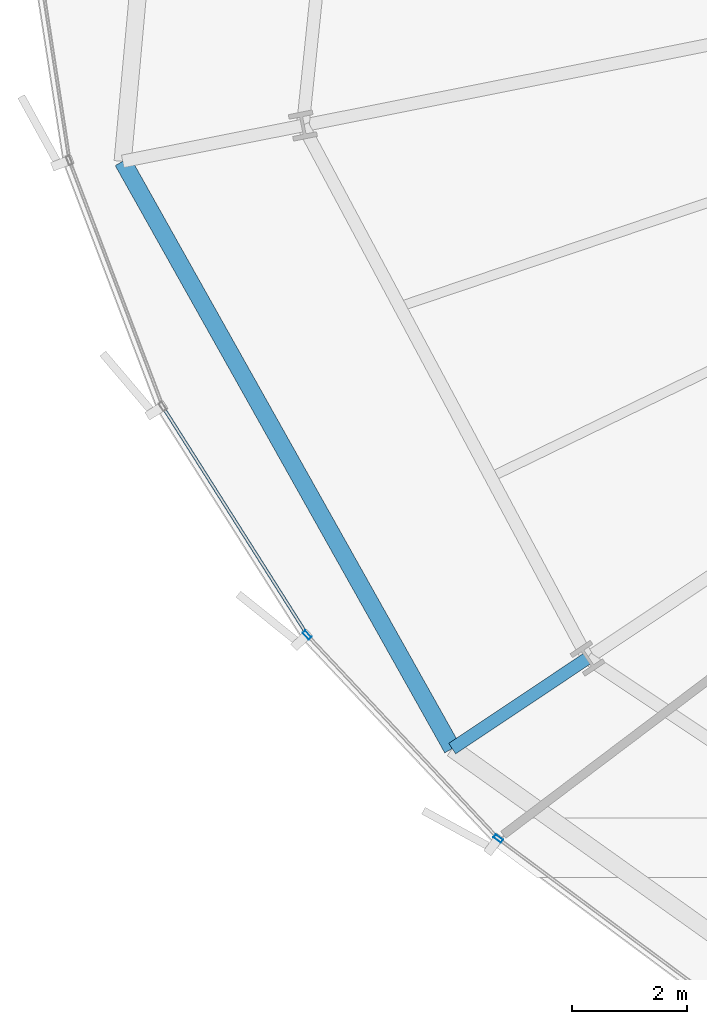
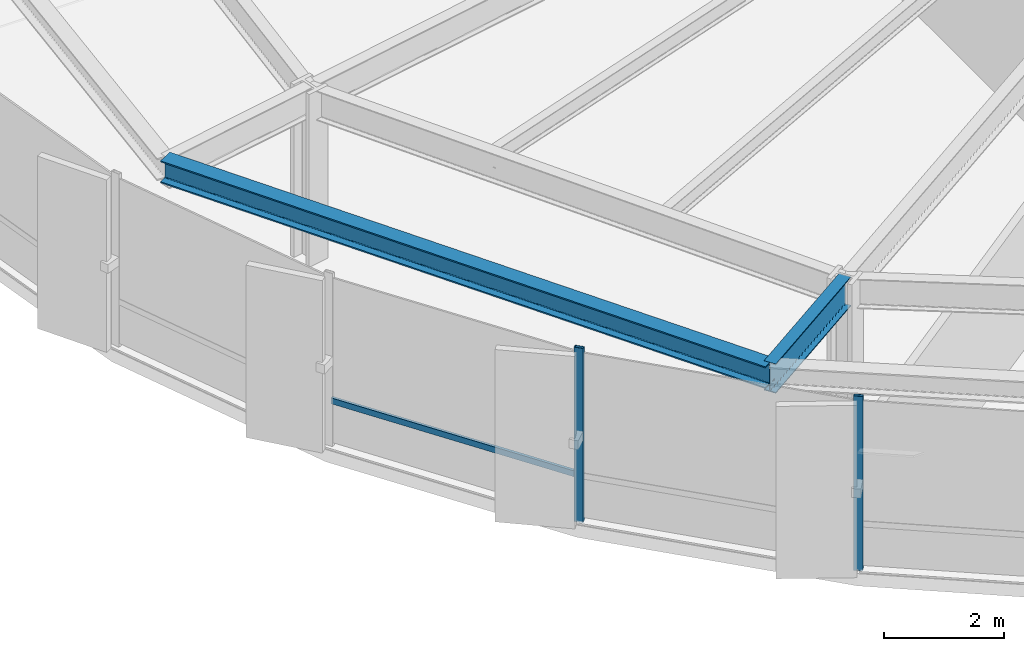
# One storey, part 3 of 39: 3 members, 2 beams, 1 element without a shape of its own.
"""IFC4 building model written with IfcOpenShell, lengths in metres."""

from ifc_helpers import new_model, si_unit, direction, frame, origin, origin_2d, place, context, subcontext, project, spatial, hollow_rectangle, i_section, extrude, source, transform, mapped, material, layer, layer_set, material_profile, profile_set, type_object, element, aggregate, save


model = new_model("IFC4")

# Units and contexts
model_context = context("Model", 3, precision=1e-05, world=origin(), true_north=direction((0.0, 1.0)))
body_context = subcontext(model_context, "Body", "Model", "MODEL_VIEW")
ifc_project = project(units=[si_unit("LENGTHUNIT", "METRE"), si_unit("AREAUNIT", "SQUARE_METRE"), si_unit("VOLUMEUNIT", "CUBIC_METRE"), si_unit("PLANEANGLEUNIT", "RADIAN"), si_unit("MASSUNIT", "GRAM", prefix="KILO"), si_unit("THERMODYNAMICTEMPERATUREUNIT", "KELVIN")], contexts=[model_context])

# Site, building, storey
site_placement = place(None, origin())
site = spatial("IfcSite", under=ifc_project, at=site_placement, CompositionType="ELEMENT")
building_placement = place(site_placement, origin())
building = spatial("IfcBuilding", under=site, at=building_placement, Name="Kethvar Cultural Tower", CompositionType="ELEMENT")
storey_placement = place(building_placement, frame((0.0, 0.0, 41.0)))
storey = spatial("IfcBuildingStorey", under=building, at=storey_placement, Name="L09", CompositionType="ELEMENT", Elevation=41.0)

# Beams
ifc_material_1 = material(Name="Steel S355J2", Category="steel")
ifc_material_profile_1 = material_profile(ifc_material_1, i_section(OverallWidth=0.219970703125, OverallDepth=0.60009765625, WebThickness=0.011962890625, FlangeThickness=0.01904296875, FilletRadius=0.02392578125, at=origin_2d()), Name="Steel S355J2 — IPE600")
ifc_profile_set_1 = profile_set([ifc_material_profile_1], Name="Steel S355J2 — IPE600")
beam_type_1 = type_object("IfcBeamType", Name="BM-IPE600", PredefinedType="BEAM", material=ifc_profile_set_1)
shared_shape_1 = source(origin(), body_context, "Body", "SweptSolid", [
    extrude(i_section(OverallWidth=0.219970703125, OverallDepth=0.60009765625, WebThickness=0.011962890625, FlangeThickness=0.01904296875, FilletRadius=0.02392578125, at=origin_2d()), origin(), (0.0, 0.0, 1.0), 2.834228515625),
])
beam_1_placement = place(storey_placement, frame((24.9248046875, 13.183349609375, 3.248046875), z_axis=(-0.831506552433, -0.555514944229, 0.0), x_axis=(0.555514944229, -0.831506552433, 0.0)))
element("IfcBeam", 1, at=beam_1_placement, inside=storey, type_object=beam_type_1, Name="L09 Perimeter Cantilever Beam RC-10", PredefinedType="BEAM", context=body_context, shape_type="MappedRepresentation", body=[
    mapped(shared_shape_1, transform((0.0, 0.0, 0.0), scale=1.0)),
])
ifc_material_profile_2 = material_profile(ifc_material_1, i_section(OverallWidth=0.300048828125, OverallDepth=0.449951171875, WebThickness=0.013916015625, FlangeThickness=0.02587890625, FilletRadius=0.027099609375, at=origin_2d()), Name="Steel S355J2 — HEB450")
ifc_profile_set_2 = profile_set([ifc_material_profile_2], Name="Steel S355J2 — HEB450")
beam_type_2 = type_object("IfcBeamType", Name="BM-SP450", PredefinedType="SPANDREL", material=ifc_profile_set_2)
shared_shape_2 = source(origin(), body_context, "Body", "SweptSolid", [
    extrude(i_section(OverallWidth=0.300048828125, OverallDepth=0.449951171875, WebThickness=0.013916015625, FlangeThickness=0.02587890625, FilletRadius=0.027099609375, at=origin_2d()), origin(), (0.0, 0.0, 1.0), 11.72998046875),
])
beam_2_placement = place(storey_placement, frame((16.827392578125, 21.838134765625, 3.322998046875), z_axis=(0.489404260078, -0.87205703381, 0.0), x_axis=(0.87205703381, 0.489404260078, 0.0)))
element("IfcBeam", 2, at=beam_2_placement, inside=storey, type_object=beam_type_2, Name="L09 Perimeter Spandrel Beam SP-09", PredefinedType="SPANDREL", context=body_context, shape_type="MappedRepresentation", body=[
    mapped(shared_shape_2, transform((0.0, 0.0, 0.0), scale=1.0)),
])

# Curtain wall, members
ifc_material_2 = material(Name="Aluminium 6063-T6", Category="aluminium")
ifc_layer = layer(ifc_material_2, 0.179931640625, Name="Aluminium 6063-T6", Category="aluminium")
ifc_layer_set = layer_set([ifc_layer], Name="Aluminium 6063-T6 (180 mm)")
curtain_wall_type = type_object("IfcCurtainWallType", Name="CW-SYS-02-Z1", PredefinedType="NOTDEFINED", material=ifc_layer_set)
curtain_wall_placement = place(storey_placement, origin())
curtain_wall = element("IfcCurtainWall", 3, at=curtain_wall_placement, inside=storey, type_object=curtain_wall_type, Name="L09 Curtain Wall Run 04", PredefinedType="NOTDEFINED")
ifc_material_profile_3 = material_profile(ifc_material_2, hollow_rectangle(XDim=0.06494140625, YDim=0.159912109375, WallThickness=0.0048828125, at=origin_2d()), Name="Aluminium 6063-T6 — RHS160x65x5")
ifc_profile_set_3 = profile_set([ifc_material_profile_3], Name="Aluminium 6063-T6 — RHS160x65x5")
member_type_1 = type_object("IfcMemberType", Name="CW-SYS-02-Z1-MUL", PredefinedType="MULLION", material=ifc_profile_set_3)
shared_shape_3 = source(origin(), body_context, "Body", "SweptSolid", [
    extrude(hollow_rectangle(XDim=0.06494140625, YDim=0.159912109375, WallThickness=0.0048828125, at=origin_2d()), origin(), (0.0, 0.0, 1.0), 3.550048828125),
])
member_1_placement = place(storey_placement, frame((20.0390625, 13.589599609375, 0.0), z_axis=(0.0, 0.0, 1.0), x_axis=(0.728944731776, 0.684572551317, 0.0)))
member_1 = element("IfcMember", 4, at=member_1_placement, type_object=member_type_1, Name="CW-L09-R04 Mullion 4", PredefinedType="MULLION", context=body_context, shape_type="MappedRepresentation", body=[
    mapped(shared_shape_3, transform((0.0, 0.0, 0.0), scale=1.0)),
])
member_2_placement = place(storey_placement, frame((23.36865234375, 10.04150390625, 0.0), z_axis=(0.0, 0.0, 1.0), x_axis=(0.596841218659, 0.802359370675, 0.0)))
member_2 = element("IfcMember", 5, at=member_2_placement, type_object=member_type_1, Name="CW-L09-R04 Mullion 5", PredefinedType="MULLION", context=body_context, shape_type="MappedRepresentation", body=[
    mapped(shared_shape_3, transform((0.0, 0.0, 0.0), scale=1.0)),
])
ifc_material_profile_4 = material_profile(ifc_material_2, hollow_rectangle(XDim=0.054931640625, YDim=0.1201171875, WallThickness=0.00390625, at=origin_2d()), Name="Aluminium 6063-T6 — RHS120x55x4")
ifc_profile_set_4 = profile_set([ifc_material_profile_4], Name="Aluminium 6063-T6 — RHS120x55x4")
member_type_2 = type_object("IfcMemberType", Name="CW-SYS-02-Z1-TRN", PredefinedType="USERDEFINED", material=ifc_profile_set_4)
shared_shape_4 = source(origin(), body_context, "Body", "SweptSolid", [
    extrude(hollow_rectangle(XDim=0.054931640625, YDim=0.1201171875, WallThickness=0.00390625, at=origin_2d()), origin(), (0.0, 0.0, 1.0), 4.63623046875),
])
member_3_placement = place(storey_placement, frame((17.54833984375, 17.52880859375, 0.949951171875), z_axis=(0.534846611735, -0.844949171202, 0.0), x_axis=(0.844949171202, 0.534846611735, 0.0)))
member_3 = element("IfcMember", 6, at=member_3_placement, type_object=member_type_2, Name="CW-L09-R04 Transom 3", ObjectType="TRANSOM", PredefinedType="USERDEFINED", context=body_context, shape_type="MappedRepresentation", body=[
    mapped(shared_shape_4, transform((0.0, 0.0, 0.0), scale=1.0)),
])
aggregate(curtain_wall, [member_1, member_2, member_3])

save(model, "model.ifc")
